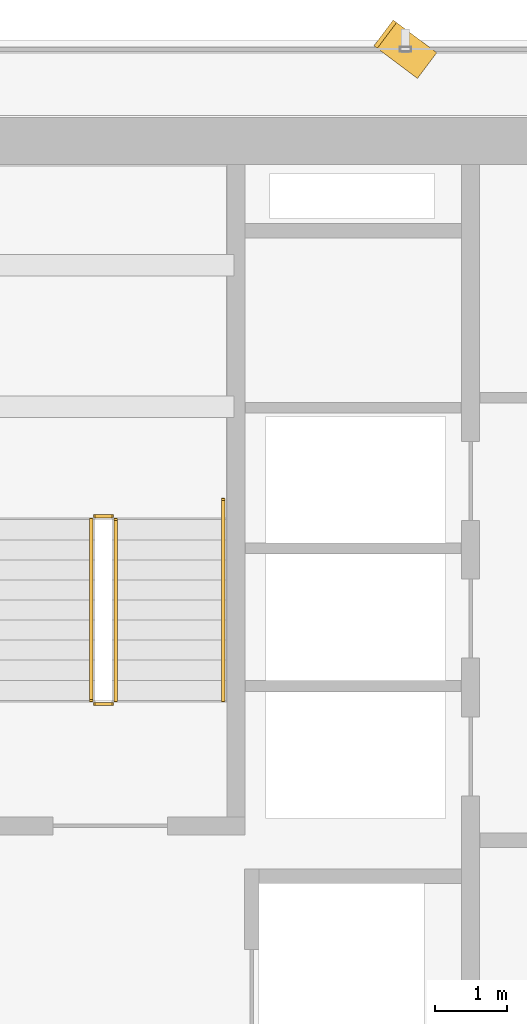
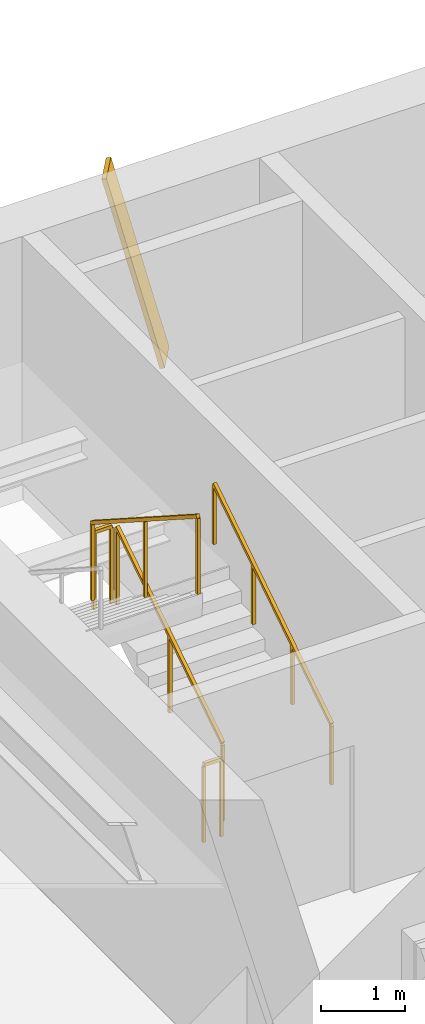
# One storey, part 25 of 28: 5 railings, 1 shading device.
"""IFC4 building model written with IfcOpenShell, lengths in metres."""

import ifcopenshell
import ifcopenshell.guid

model = None  # the IFC model being written
_history = None  # IfcOwnerHistory: only IFC2X3 demands one
_inside = {}  # id of a spatial element -> (the spatial element, [elements in it])
_under = {}  # id of a project, library or spatial element -> (it, [spatial elements below it])
_declared = {}  # id of a project -> (the project, [libraries it declares])
_typed = {}  # id of a type object -> (the type object, [elements of that type])
_made_of = {}  # id of a material, layer set ... -> (it, [elements and type objects made of it])


def new_model(schema):
    """Start an empty IFC model of exactly this schema.

    Asked for "IFC4X3", IfcOpenShell would pick the latest addendum, in which some entities
    have other attributes; the version numbers below select the first issue.
    IFC2X3 requires an IfcOwnerHistory on every rooted entity: one is made here for all.
    """
    global model, _history
    if schema == "IFC4X3":
        model = ifcopenshell.file(schema_version=(4, 3, 0, 0))
    else:
        model = ifcopenshell.file(schema=schema)
    _inside.clear()
    _under.clear()
    _declared.clear()
    _typed.clear()
    _made_of.clear()
    _history = None
    if model.schema == "IFC2X3":
        org = make("IfcOrganization", Name="unknown")
        user = make(
            "IfcPersonAndOrganization",
            ThePerson=make("IfcPerson", FamilyName="unknown"),
            TheOrganization=org,
        )
        app = make(
            "IfcApplication",
            ApplicationDeveloper=org,
            Version="unknown",
            ApplicationFullName="unknown",
            ApplicationIdentifier="unknown",
        )
        _history = make(
            "IfcOwnerHistory",
            OwningUser=user,
            OwningApplication=app,
            ChangeAction="ADDED",
            CreationDate=0,
        )
    return model


def make(cls, **values):
    """One entity of the class cls with the attributes given. An attribute that is None is left unset."""
    return model.create_entity(
        cls, **{name: value for name, value in values.items() if value is not None}
    )


def rooted(cls, **values):
    """An entity with a GlobalId (a new one), such as an element, a storey or a relation."""
    return make(cls, GlobalId=ifcopenshell.guid.new(), OwnerHistory=_history, **values)


def si_unit(unit_type, name, prefix=None):
    """IfcSIUnit, for example si_unit("LENGTHUNIT", "METRE", prefix="MILLI")."""
    return make("IfcSIUnit", UnitType=unit_type, Prefix=prefix, Name=name)


def assignment(units):
    """IfcUnitAssignment: the units of a project."""
    return None if units is None else make("IfcUnitAssignment", Units=units)


def point(xyz):
    """IfcCartesianPoint."""
    return None if xyz is None else make("IfcCartesianPoint", Coordinates=xyz)


def direction(xyz):
    """IfcDirection."""
    return None if xyz is None else make("IfcDirection", DirectionRatios=xyz)


def frame(location, z_axis=None, x_axis=None):
    """IfcAxis2Placement3D, a coordinate frame: its origin and axes. An axis left out is left unset."""
    return make(
        "IfcAxis2Placement3D",
        Location=point(location),
        Axis=direction(z_axis),
        RefDirection=direction(x_axis),
    )


def frame_2d(location, x_axis=None):
    """IfcAxis2Placement2D, a coordinate frame in the plane: its origin and x axis."""
    return make(
        "IfcAxis2Placement2D", Location=point(location), RefDirection=direction(x_axis)
    )


def origin():
    """The frame at (0, 0, 0) with its axes left unset."""
    return frame((0.0, 0.0, 0.0))


def origin_2d():
    """The frame at (0, 0) in the plane with its x axis left unset."""
    return frame_2d((0.0, 0.0))


def place(relative_to, where):
    """IfcLocalPlacement: puts the frame where relative to a parent placement (None: the world)."""
    return make(
        "IfcLocalPlacement", PlacementRelTo=relative_to, RelativePlacement=where
    )


def context(
    kind, dimensions, precision=None, world=None, true_north=None, identifier=None
):
    """IfcGeometricRepresentationContext, for example the 3D "Model" context."""
    return make(
        "IfcGeometricRepresentationContext",
        ContextIdentifier=identifier,
        ContextType=kind,
        CoordinateSpaceDimension=dimensions,
        Precision=precision,
        WorldCoordinateSystem=world,
        TrueNorth=true_north,
    )


def subcontext(parent, identifier, kind, view, scale=None):
    """IfcGeometricRepresentationSubContext, for example "Body" below "Model"."""
    return make(
        "IfcGeometricRepresentationSubContext",
        ContextIdentifier=identifier,
        ContextType=kind,
        ParentContext=parent,
        TargetScale=scale,
        TargetView=view,
    )


def project(units=None, contexts=None):
    """IfcProject with its units and contexts."""
    return rooted(
        "IfcProject",
        Name="project",
        RepresentationContexts=contexts,
        UnitsInContext=assignment(units),
    )


def spatial(cls, under=None, at=None, **own):
    """A site, building, storey or space (cls), placed at a placement, below another one or the project."""
    s = rooted(cls, ObjectPlacement=at, **own)
    if under is not None:
        _under.setdefault(under.id(), (under, []))[1].append(s)
    return s


def profile(cls, at=None, kind="AREA", **sizes):
    """A parametric profile (cls). Its sizes go by their IFC names, for example OverallWidth=200.0."""
    return make(cls, ProfileType=kind, Position=at, **sizes)


def rectangle(**sizes):
    """IfcRectangleProfileDef."""
    return profile("IfcRectangleProfileDef", **sizes)


def extrude(swept, where, along, depth):
    """IfcExtrudedAreaSolid: the profile swept, set in the frame where, extruded along a direction by depth."""
    return make(
        "IfcExtrudedAreaSolid",
        SweptArea=swept,
        Position=where,
        ExtrudedDirection=direction(along),
        Depth=depth,
    )


def shape(context_of_items, identifier, shape_type, items):
    """IfcShapeRepresentation: the items that make up one representation, for example the "Body"."""
    return make(
        "IfcShapeRepresentation",
        ContextOfItems=context_of_items,
        RepresentationIdentifier=identifier,
        RepresentationType=shape_type,
        Items=items,
    )


def source(mapping_origin, context_of_items, identifier, shape_type, items):
    """IfcRepresentationMap: a shape defined once, which mapped items show again and again."""
    return make(
        "IfcRepresentationMap",
        MappingOrigin=mapping_origin,
        MappedRepresentation=shape(context_of_items, identifier, shape_type, items),
    )


def transform(
    local_origin,
    x_axis=None,
    y_axis=None,
    z_axis=None,
    scale=None,
    scale2=None,
    scale3=None,
    uniform=True,
):
    """IfcCartesianTransformationOperator3D, or its non-uniform kind. x_axis, y_axis, z_axis: its Axis1, 2, 3."""
    if uniform:
        return make(
            "IfcCartesianTransformationOperator3D",
            Axis1=direction(x_axis),
            Axis2=direction(y_axis),
            LocalOrigin=point(local_origin),
            Scale=scale,
            Axis3=direction(z_axis),
        )
    return make(
        "IfcCartesianTransformationOperator3DnonUniform",
        Axis1=direction(x_axis),
        Axis2=direction(y_axis),
        LocalOrigin=point(local_origin),
        Scale=scale,
        Axis3=direction(z_axis),
        Scale2=scale2,
        Scale3=scale3,
    )


def mapped(mapping_source, mapping_target):
    """IfcMappedItem: shows the shape of a source again, moved by a transform."""
    return make(
        "IfcMappedItem", MappingSource=mapping_source, MappingTarget=mapping_target
    )


def material(Name=None, Category=None):
    """IfcMaterial."""
    return make("IfcMaterial", Name=Name, Category=Category)


def material_profile(
    of_material, cross_section, Name=None, Category=None, Priority=None
):
    """IfcMaterialProfile: a cross section and its material."""
    return make(
        "IfcMaterialProfile",
        Name=Name,
        Material=of_material,
        Profile=cross_section,
        Priority=Priority,
        Category=Category,
    )


def profile_set(profiles, Name=None, composite=None):
    """IfcMaterialProfileSet."""
    return make(
        "IfcMaterialProfileSet",
        Name=Name,
        MaterialProfiles=profiles,
        CompositeProfile=composite,
    )


def made_of(thing, what):
    """Note that an element or type object is made of a material, layer set ...; save() writes the relation."""
    if what is not None:
        _made_of.setdefault(what.id(), (what, []))[1].append(thing)
    return thing


def type_object(cls, material=None, **own):
    """A type object (cls), such as IfcWallType, which elements share."""
    return made_of(rooted(cls, **own), material)


def element(
    cls,
    number,
    at=None,
    inside=None,
    cuts=None,
    type_object=None,
    material=None,
    context=None,
    identifier="Body",
    shape_type=None,
    held_by="IfcProductDefinitionShape",
    body=None,
    shapes=None,
    **own,
):
    """One element of the class cls, such as IfcWall. Its Tag is "e" and its number.

    at: its placement. inside: the storey or other place that contains it. cuts: it is an
    opening in that element (IfcRelVoidsElement). A single representation is given by context,
    identifier, shape_type and body (its items); several are given by shapes. held_by: the class
    of the entity that holds the representations. save() writes the other relations.
    """
    e = rooted(cls, Tag="e%d" % number, ObjectPlacement=at, **own)
    if body is not None:
        shapes = [shape(context, identifier, shape_type, body)]
    if shapes is not None:
        e.Representation = make(held_by, Representations=shapes)
    if inside is not None:
        _inside.setdefault(inside.id(), (inside, []))[1].append(e)
    if cuts is not None:
        rooted(
            "IfcRelVoidsElement", RelatingBuildingElement=cuts, RelatedOpeningElement=e
        )
    if type_object is not None:
        _typed.setdefault(type_object.id(), (type_object, []))[1].append(e)
    return made_of(e, material)


def aggregate(whole, parts):
    """IfcRelAggregates: a whole, such as a stair, and the parts it consists of."""
    return rooted("IfcRelAggregates", RelatingObject=whole, RelatedObjects=parts)


def save(model, path):
    """Write the relations noted so far, then the file.

    IfcRelAggregates (storeys below a building ...), IfcRelContainedInSpatialStructure (elements
    in a storey), IfcRelDefinesByType, IfcRelAssociatesMaterial and IfcRelDeclares: one each for
    every whole, place, type object, material and project.
    """
    for whole, parts in _under.values():
        aggregate(whole, parts)
    for where, things in _inside.values():
        rooted(
            "IfcRelContainedInSpatialStructure",
            RelatedElements=things,
            RelatingStructure=where,
        )
    for kind, things in _typed.values():
        rooted("IfcRelDefinesByType", RelatedObjects=things, RelatingType=kind)
    for what, things in _made_of.values():
        rooted("IfcRelAssociatesMaterial", RelatedObjects=things, RelatingMaterial=what)
    for by, libraries in _declared.values():
        rooted("IfcRelDeclares", RelatingContext=by, RelatedDefinitions=libraries)
    model.write(path)


model = new_model("IFC4")

# Units and contexts
model_context = context("Model", 3, precision=1e-05, world=origin(), true_north=direction((0.0, 1.0)))
body_context = subcontext(model_context, "Body", "Model", "MODEL_VIEW")
ifc_project = project(units=[si_unit("LENGTHUNIT", "METRE"), si_unit("AREAUNIT", "SQUARE_METRE"), si_unit("VOLUMEUNIT", "CUBIC_METRE"), si_unit("PLANEANGLEUNIT", "RADIAN"), si_unit("MASSUNIT", "GRAM", prefix="KILO")], contexts=[model_context])

# Site, building, storey
site_placement = place(None, origin())
site = spatial("IfcSite", under=ifc_project, at=site_placement, CompositionType="ELEMENT")
building_placement = place(site_placement, origin())
building = spatial("IfcBuilding", under=site, at=building_placement, Name="Sumidabori Civic Tower", CompositionType="ELEMENT")
storey_placement = place(building_placement, frame((0.0, 0.0, 174.800048828125)))
storey = spatial("IfcBuildingStorey", under=building, at=storey_placement, Name="L45", CompositionType="ELEMENT", Elevation=174.800048828125)

# Railings
ifc_material_1 = material(Name="Stainless Steel Hairline Finish", Category="steel")
railing_type_1 = type_object("IfcRailingType", Name="RL-HANDRAIL", PredefinedType="HANDRAIL", material=ifc_material_1)
railing_1_placement = place(storey_placement, frame((-11.949951171875, 16.0, 0.179931640625)))
element("IfcRailing", 1, at=railing_1_placement, inside=storey, type_object=railing_type_1, Name="L45 ST-1 stair handrail 1", PredefinedType="HANDRAIL", context=body_context, shape_type="SweptSolid", body=[
    extrude(rectangle(XDim=0.048095703125, YDim=0.048095703125, at=origin_2d()), frame((0.0, 0.0, 0.8759765625), z_axis=(0.0, 0.840675598268, 0.541539046124), x_axis=(-1.0, 0.0, 0.0)), (0.0, 0.0, 1.0), 3.330810546875),
    extrude(rectangle(XDim=0.0419921875, YDim=0.0419921875, at=origin_2d()), origin(), (0.0, 0.0, 1.0), 0.851806640625),
    extrude(rectangle(XDim=0.0419921875, YDim=0.0419921875, at=origin_2d()), frame((0.0, 0.933349609375, 0.601318359375)), (0.0, 0.0, 1.0), 0.851806640625),
    extrude(rectangle(XDim=0.0419921875, YDim=0.0419921875, at=origin_2d()), frame((0.0, 1.86669921875, 1.202392578125)), (0.0, 0.0, 1.0), 0.851806640625),
    extrude(rectangle(XDim=0.0419921875, YDim=0.0419921875, at=origin_2d()), frame((0.0, 2.800048828125, 1.8037109375)), (0.0, 0.0, 1.0), 0.851806640625),
])
ifc_material_2 = material(Name="Steel SN490", Category="steel")
railing_type_2 = type_object("IfcRailingType", Name="RL-STAIR-GUARD", PredefinedType="GUARDRAIL", material=ifc_material_2)
railing_2_placement = place(storey_placement, frame((-13.449951171875, 16.0, 0.179931640625)))
element("IfcRailing", 2, at=railing_2_placement, inside=storey, type_object=railing_type_2, Name="L45 ST-1 stair guard 1", PredefinedType="GUARDRAIL", context=body_context, shape_type="SweptSolid", body=[
    extrude(rectangle(XDim=0.048095703125, YDim=0.048095703125, at=origin_2d()), frame((0.0, 0.0, 1.1259765625), z_axis=(0.0, 0.841162588446, 0.540782303519), x_axis=(-1.0, 0.0, 0.0)), (0.0, 0.0, 1.0), 2.995849609375),
    extrude(rectangle(XDim=0.0419921875, YDim=0.0419921875, at=origin_2d()), origin(), (0.0, 0.0, 1.0), 1.101806640625),
    extrude(rectangle(XDim=0.0419921875, YDim=0.0419921875, at=origin_2d()), frame((0.0, 1.260009765625, 0.81005859375)), (0.0, 0.0, 1.0), 1.101806640625),
    extrude(rectangle(XDim=0.0419921875, YDim=0.0419921875, at=origin_2d()), frame((0.0, 2.52001953125, 1.6201171875)), (0.0, 0.0, 1.0), 1.101806640625),
])
railing_3_placement = place(storey_placement, frame((-13.5, 18.570068359375, 1.800048828125)))
element("IfcRailing", 3, at=railing_3_placement, inside=storey, type_object=railing_type_2, Name="L45 ST-1 stair guard 2", PredefinedType="GUARDRAIL", context=body_context, shape_type="SweptSolid", body=[
    extrude(rectangle(XDim=0.048095703125, YDim=0.048095703125, at=origin_2d()), frame((0.0, 0.0, 1.1259765625), z_axis=(-1.0, 0.0, 0.0), x_axis=(0.0, -1.0, 0.0)), (0.0, 0.0, 1.0), 0.239990234375),
    extrude(rectangle(XDim=0.0419921875, YDim=0.0419921875, at=origin_2d()), origin(), (0.0, 0.0, 1.0), 1.101806640625),
    extrude(rectangle(XDim=0.0419921875, YDim=0.0419921875, at=origin_2d()), frame((-0.239990234375, 0.0, 0.0)), (0.0, 0.0, 1.0), 1.101806640625),
])
railing_4_placement = place(storey_placement, frame((-13.7900390625, 18.52001953125, 1.97998046875)))
element("IfcRailing", 4, at=railing_4_placement, inside=storey, type_object=railing_type_2, Name="L45 ST-1 stair guard 3", PredefinedType="GUARDRAIL", context=body_context, shape_type="SweptSolid", body=[
    extrude(rectangle(XDim=0.048095703125, YDim=0.048095703125, at=origin_2d()), frame((0.0, 0.0, 1.1259765625), z_axis=(0.0, -0.841199657755, 0.540724639528), x_axis=(1.0, 0.0, 0.0)), (0.0, 0.0, 1.0), 2.995849609375),
    extrude(rectangle(XDim=0.0419921875, YDim=0.0419921875, at=origin_2d()), origin(), (0.0, 0.0, 1.0), 1.101806640625),
    extrude(rectangle(XDim=0.0419921875, YDim=0.0419921875, at=origin_2d()), frame((0.0, -1.260009765625, 0.81005859375)), (0.0, 0.0, 1.0), 1.101806640625),
    extrude(rectangle(XDim=0.0419921875, YDim=0.0419921875, at=origin_2d()), frame((0.0, -2.52001953125, 1.619873046875)), (0.0, 0.0, 1.0), 1.101806640625),
])
railing_5_placement = place(storey_placement, frame((-13.5, 15.949951171875, 0.0)))
element("IfcRailing", 5, at=railing_5_placement, inside=storey, type_object=railing_type_2, Name="L45 ST-1 stair guard 4", PredefinedType="GUARDRAIL", context=body_context, shape_type="SweptSolid", body=[
    extrude(rectangle(XDim=0.048095703125, YDim=0.048095703125, at=origin_2d()), frame((0.0, 0.0, 1.1259765625), z_axis=(-1.0, 0.0, 0.0), x_axis=(0.0, -1.0, 0.0)), (0.0, 0.0, 1.0), 0.239990234375),
    extrude(rectangle(XDim=0.0419921875, YDim=0.0419921875, at=origin_2d()), origin(), (0.0, 0.0, 1.0), 1.101806640625),
    extrude(rectangle(XDim=0.0419921875, YDim=0.0419921875, at=origin_2d()), frame((-0.239990234375, 0.0, 0.0)), (0.0, 0.0, 1.0), 1.101806640625),
])

# Shading device
ifc_material_3 = material(Name="Anodised Bronze Aluminium AW-6063-T6", Category="aluminium")
ifc_material_profile = material_profile(ifc_material_3, rectangle(XDim=0.06005859375, YDim=0.449951171875, at=origin_2d()), Name="BRONZE FIN 450x60")
ifc_profile_set = profile_set([ifc_material_profile], Name="Anodised Bronze Aluminium AW-6063-T6")
shading_device_type = type_object("IfcShadingDeviceType", Name="SH-FIN-450", PredefinedType="USERDEFINED", material=ifc_profile_set)
shared_shape = source(origin(), body_context, "Body", "SweptSolid", [
    extrude(rectangle(XDim=0.06005859375, YDim=0.449951171875, at=origin_2d()), origin(), (0.0, 0.0, 1.0), 2.789306640625),
])
shading_device_placement = place(storey_placement, frame((-9.1298828125, 24.8701171875, 0.02001953125), z_axis=(-0.200794136335, 0.150551837182, 0.967995794998), x_axis=(0.774477654896, -0.580689436103, 0.250966413819)))
element("IfcShadingDevice", 6, at=shading_device_placement, inside=storey, type_object=shading_device_type, Name="Bronze Anodised Diagonal Fin L45-03", ObjectType="FIN", PredefinedType="USERDEFINED", context=body_context, shape_type="MappedRepresentation", body=[
    mapped(shared_shape, transform((0.0, 0.0, 0.0), x_axis=(1.0, 0.0, 0.0), y_axis=(0.0, 1.0, 0.0), z_axis=(0.0, 0.0, 1.0), scale=1.0)),
])

save(model, "model.ifc")
